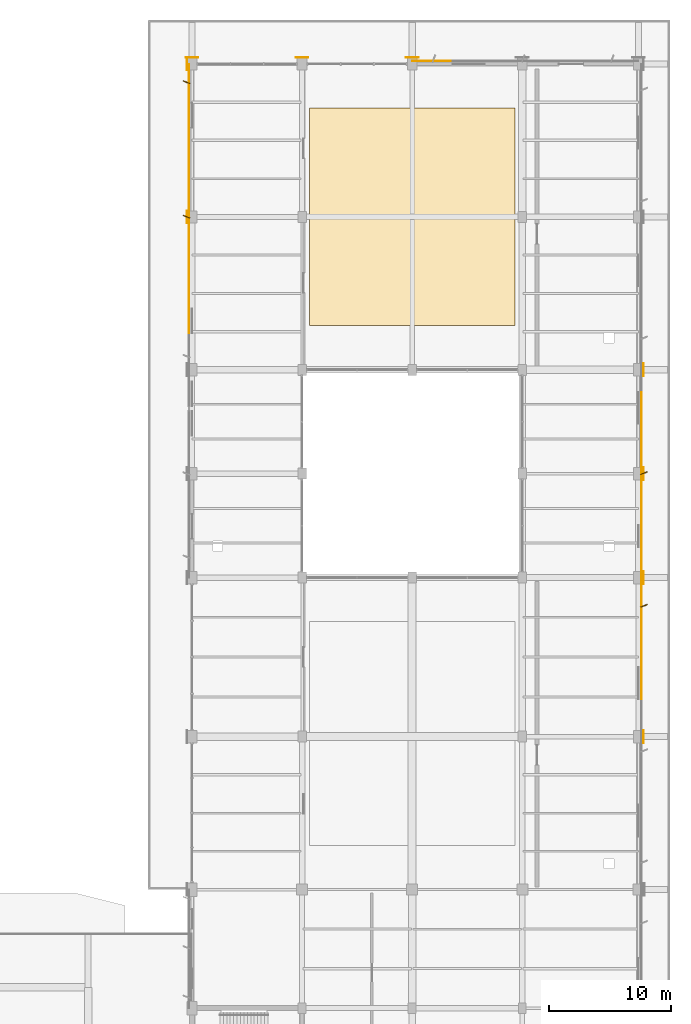
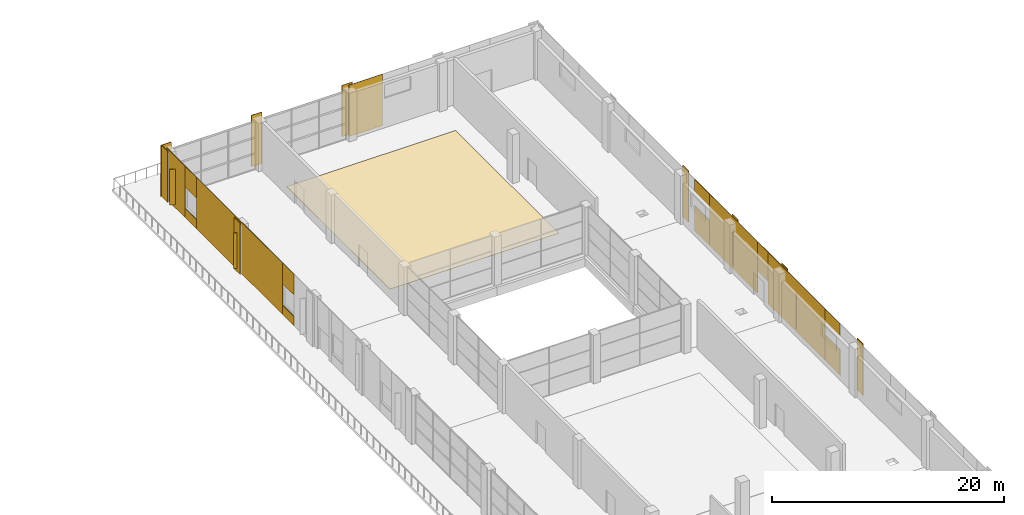
# One storey, part 88 of 90: 28 coverings.
"""IFC4 building model written with IfcOpenShell, lengths in metres."""

import ifcopenshell
import ifcopenshell.guid

model = None  # the IFC model being written
_history = None  # IfcOwnerHistory: only IFC2X3 demands one
_inside = {}  # id of a spatial element -> (the spatial element, [elements in it])
_under = {}  # id of a project, library or spatial element -> (it, [spatial elements below it])
_declared = {}  # id of a project -> (the project, [libraries it declares])
_typed = {}  # id of a type object -> (the type object, [elements of that type])
_made_of = {}  # id of a material, layer set ... -> (it, [elements and type objects made of it])


def new_model(schema):
    """Start an empty IFC model of exactly this schema.

    Asked for "IFC4X3", IfcOpenShell would pick the latest addendum, in which some entities
    have other attributes; the version numbers below select the first issue.
    IFC2X3 requires an IfcOwnerHistory on every rooted entity: one is made here for all.
    """
    global model, _history
    if schema == "IFC4X3":
        model = ifcopenshell.file(schema_version=(4, 3, 0, 0))
    else:
        model = ifcopenshell.file(schema=schema)
    _inside.clear()
    _under.clear()
    _declared.clear()
    _typed.clear()
    _made_of.clear()
    _history = None
    if model.schema == "IFC2X3":
        org = make("IfcOrganization", Name="unknown")
        user = make(
            "IfcPersonAndOrganization",
            ThePerson=make("IfcPerson", FamilyName="unknown"),
            TheOrganization=org,
        )
        app = make(
            "IfcApplication",
            ApplicationDeveloper=org,
            Version="unknown",
            ApplicationFullName="unknown",
            ApplicationIdentifier="unknown",
        )
        _history = make(
            "IfcOwnerHistory",
            OwningUser=user,
            OwningApplication=app,
            ChangeAction="ADDED",
            CreationDate=0,
        )
    return model


def make(cls, **values):
    """One entity of the class cls with the attributes given. An attribute that is None is left unset."""
    return model.create_entity(
        cls, **{name: value for name, value in values.items() if value is not None}
    )


def rooted(cls, **values):
    """An entity with a GlobalId (a new one), such as an element, a storey or a relation."""
    return make(cls, GlobalId=ifcopenshell.guid.new(), OwnerHistory=_history, **values)


def si_unit(unit_type, name, prefix=None):
    """IfcSIUnit, for example si_unit("LENGTHUNIT", "METRE", prefix="MILLI")."""
    return make("IfcSIUnit", UnitType=unit_type, Prefix=prefix, Name=name)


def assignment(units):
    """IfcUnitAssignment: the units of a project."""
    return None if units is None else make("IfcUnitAssignment", Units=units)


def point(xyz):
    """IfcCartesianPoint."""
    return None if xyz is None else make("IfcCartesianPoint", Coordinates=xyz)


def direction(xyz):
    """IfcDirection."""
    return None if xyz is None else make("IfcDirection", DirectionRatios=xyz)


def frame(location, z_axis=None, x_axis=None):
    """IfcAxis2Placement3D, a coordinate frame: its origin and axes. An axis left out is left unset."""
    return make(
        "IfcAxis2Placement3D",
        Location=point(location),
        Axis=direction(z_axis),
        RefDirection=direction(x_axis),
    )


def frame_2d(location, x_axis=None):
    """IfcAxis2Placement2D, a coordinate frame in the plane: its origin and x axis."""
    return make(
        "IfcAxis2Placement2D", Location=point(location), RefDirection=direction(x_axis)
    )


def origin():
    """The frame at (0, 0, 0) with its axes left unset."""
    return frame((0.0, 0.0, 0.0))


def origin_2d():
    """The frame at (0, 0) in the plane with its x axis left unset."""
    return frame_2d((0.0, 0.0))


def place(relative_to, where):
    """IfcLocalPlacement: puts the frame where relative to a parent placement (None: the world)."""
    return make(
        "IfcLocalPlacement", PlacementRelTo=relative_to, RelativePlacement=where
    )


def context(
    kind, dimensions, precision=None, world=None, true_north=None, identifier=None
):
    """IfcGeometricRepresentationContext, for example the 3D "Model" context."""
    return make(
        "IfcGeometricRepresentationContext",
        ContextIdentifier=identifier,
        ContextType=kind,
        CoordinateSpaceDimension=dimensions,
        Precision=precision,
        WorldCoordinateSystem=world,
        TrueNorth=true_north,
    )


def subcontext(parent, identifier, kind, view, scale=None):
    """IfcGeometricRepresentationSubContext, for example "Body" below "Model"."""
    return make(
        "IfcGeometricRepresentationSubContext",
        ContextIdentifier=identifier,
        ContextType=kind,
        ParentContext=parent,
        TargetScale=scale,
        TargetView=view,
    )


def project(units=None, contexts=None):
    """IfcProject with its units and contexts."""
    return rooted(
        "IfcProject",
        Name="project",
        RepresentationContexts=contexts,
        UnitsInContext=assignment(units),
    )


def spatial(cls, under=None, at=None, **own):
    """A site, building, storey or space (cls), placed at a placement, below another one or the project."""
    s = rooted(cls, ObjectPlacement=at, **own)
    if under is not None:
        _under.setdefault(under.id(), (under, []))[1].append(s)
    return s


def polyline(points):
    """IfcPolyline through the points."""
    return make("IfcPolyline", Points=[point(p) for p in points])


def profile(cls, at=None, kind="AREA", **sizes):
    """A parametric profile (cls). Its sizes go by their IFC names, for example OverallWidth=200.0."""
    return make(cls, ProfileType=kind, Position=at, **sizes)


def rectangle(**sizes):
    """IfcRectangleProfileDef."""
    return profile("IfcRectangleProfileDef", **sizes)


def outline(outer, holes=None, kind="AREA"):
    """IfcArbitraryClosedProfileDef: a profile drawn as a closed curve; with holes, ...WithVoids."""
    if holes is None:
        return make("IfcArbitraryClosedProfileDef", ProfileType=kind, OuterCurve=outer)
    return make(
        "IfcArbitraryProfileDefWithVoids",
        ProfileType=kind,
        OuterCurve=outer,
        InnerCurves=holes,
    )


def extrude(swept, where, along, depth):
    """IfcExtrudedAreaSolid: the profile swept, set in the frame where, extruded along a direction by depth."""
    return make(
        "IfcExtrudedAreaSolid",
        SweptArea=swept,
        Position=where,
        ExtrudedDirection=direction(along),
        Depth=depth,
    )


def shape(context_of_items, identifier, shape_type, items):
    """IfcShapeRepresentation: the items that make up one representation, for example the "Body"."""
    return make(
        "IfcShapeRepresentation",
        ContextOfItems=context_of_items,
        RepresentationIdentifier=identifier,
        RepresentationType=shape_type,
        Items=items,
    )


def material(Name=None, Category=None):
    """IfcMaterial."""
    return make("IfcMaterial", Name=Name, Category=Category)


def layer(
    of_material, thickness, ventilated=None, Name=None, Category=None, Priority=None
):
    """IfcMaterialLayer: one layer of a wall or slab, of a material (None: an air gap)."""
    return make(
        "IfcMaterialLayer",
        Material=of_material,
        LayerThickness=thickness,
        IsVentilated=ventilated,
        Name=Name,
        Category=Category,
        Priority=Priority,
    )


def layer_set(layers, Name=None):
    """IfcMaterialLayerSet."""
    return make("IfcMaterialLayerSet", MaterialLayers=layers, LayerSetName=Name)


def made_of(thing, what):
    """Note that an element or type object is made of a material, layer set ...; save() writes the relation."""
    if what is not None:
        _made_of.setdefault(what.id(), (what, []))[1].append(thing)
    return thing


def type_object(cls, material=None, **own):
    """A type object (cls), such as IfcWallType, which elements share."""
    return made_of(rooted(cls, **own), material)


def element(
    cls,
    number,
    at=None,
    inside=None,
    cuts=None,
    type_object=None,
    material=None,
    context=None,
    identifier="Body",
    shape_type=None,
    held_by="IfcProductDefinitionShape",
    body=None,
    shapes=None,
    **own,
):
    """One element of the class cls, such as IfcWall. Its Tag is "e" and its number.

    at: its placement. inside: the storey or other place that contains it. cuts: it is an
    opening in that element (IfcRelVoidsElement). A single representation is given by context,
    identifier, shape_type and body (its items); several are given by shapes. held_by: the class
    of the entity that holds the representations. save() writes the other relations.
    """
    e = rooted(cls, Tag="e%d" % number, ObjectPlacement=at, **own)
    if body is not None:
        shapes = [shape(context, identifier, shape_type, body)]
    if shapes is not None:
        e.Representation = make(held_by, Representations=shapes)
    if inside is not None:
        _inside.setdefault(inside.id(), (inside, []))[1].append(e)
    if cuts is not None:
        rooted(
            "IfcRelVoidsElement", RelatingBuildingElement=cuts, RelatedOpeningElement=e
        )
    if type_object is not None:
        _typed.setdefault(type_object.id(), (type_object, []))[1].append(e)
    return made_of(e, material)


def aggregate(whole, parts):
    """IfcRelAggregates: a whole, such as a stair, and the parts it consists of."""
    return rooted("IfcRelAggregates", RelatingObject=whole, RelatedObjects=parts)


def save(model, path):
    """Write the relations noted so far, then the file.

    IfcRelAggregates (storeys below a building ...), IfcRelContainedInSpatialStructure (elements
    in a storey), IfcRelDefinesByType, IfcRelAssociatesMaterial and IfcRelDeclares: one each for
    every whole, place, type object, material and project.
    """
    for whole, parts in _under.values():
        aggregate(whole, parts)
    for where, things in _inside.values():
        rooted(
            "IfcRelContainedInSpatialStructure",
            RelatedElements=things,
            RelatingStructure=where,
        )
    for kind, things in _typed.values():
        rooted("IfcRelDefinesByType", RelatedObjects=things, RelatingType=kind)
    for what, things in _made_of.values():
        rooted("IfcRelAssociatesMaterial", RelatedObjects=things, RelatingMaterial=what)
    for by, libraries in _declared.values():
        rooted("IfcRelDeclares", RelatingContext=by, RelatedDefinitions=libraries)
    model.write(path)


model = new_model("IFC4")

# Units and contexts
model_context = context("Model", 3, precision=1e-05, world=origin(), true_north=direction((0.0, 1.0)))
body_context = subcontext(model_context, "Body", "Model", "MODEL_VIEW")
ifc_project = project(units=[si_unit("LENGTHUNIT", "METRE"), si_unit("AREAUNIT", "SQUARE_METRE"), si_unit("VOLUMEUNIT", "CUBIC_METRE"), si_unit("PLANEANGLEUNIT", "RADIAN"), si_unit("MASSUNIT", "GRAM", prefix="KILO")], contexts=[model_context])

# Site, building, storey
site_placement = place(None, origin())
site = spatial("IfcSite", under=ifc_project, at=site_placement, CompositionType="ELEMENT")
building_placement = place(site_placement, origin())
building = spatial("IfcBuilding", under=site, at=building_placement, Name="Solvikara Media Centre", CompositionType="ELEMENT")
storey_placement = place(building_placement, origin())
storey = spatial("IfcBuildingStorey", under=building, at=storey_placement, Name="L00", CompositionType="ELEMENT", Elevation=0.0)

# Coverings
ifc_material_1 = material(Name="Polished terrazzo floor finish")
ifc_layer_1 = layer(ifc_material_1, 0.030029296875)
ifc_layer_set_1 = layer_set([ifc_layer_1], Name="Polished terrazzo floor finish")
covering_type_1 = type_object("IfcCoveringType", Name="CV-02", PredefinedType="FLOORING", material=ifc_layer_set_1)
covering_1_placement = place(storey_placement, origin())
element("IfcCovering", 1, at=covering_1_placement, inside=storey, type_object=covering_type_1, Name="FLR-015", PredefinedType="FLOORING", context=body_context, shape_type="SweptSolid", body=[
    extrude(outline(polyline([(137.10009765625, 92.60009765625), (153.89990234375, 92.60009765625), (153.89990234375, 110.39990234375), (137.10009765625, 110.39990234375), (137.10009765625, 92.60009765625)])), origin(), (0.0, 0.0, 1.0), 0.030029296875),
])
ifc_material_2 = material(Name="GFRC white mineral architectural rainscreen panel")
ifc_layer_2 = layer(ifc_material_2, 0.050048828125)
ifc_layer_set_2 = layer_set([ifc_layer_2], Name="GFRC white mineral architectural rainscreen panel")
covering_type_2 = type_object("IfcCoveringType", Name="CV-04", PredefinedType="CLADDING", material=ifc_layer_set_2)
for number, where, z_axis, x_axis, name in (
    (2, (127.074951171875, 101.5, 0.0), (0.0, 0.0, 1.0), (0.0, -1.0, 0.0), "PIL-L00-275"),
    (3, (127.5, 114.52490234375, 0.0), (0.0, 0.0, 1.0), (-1.0, 0.0, 0.0), "PIL-L00-277"),
    (4, (127.074951171875, 114.0, 0.0), (0.0, 0.0, 1.0), (0.0, -1.0, 0.0), "PIL-L00-278"),
    (5, (136.5, 114.52490234375, 0.0), (0.0, 0.0, 1.0), (-1.0, 0.0, 0.0), "PIL-L00-281"),
    (6, (145.5, 114.52490234375, 0.0), (0.0, 0.0, 1.0), (-1.0, 0.0, 0.0), "PIL-L00-283"),
    (7, (164.425048828125, 59.0, 0.0), (0.0, 0.0, 1.0), (0.0, 1.0, 0.0), "PIL-L00-287"),
    (8, (164.425048828125, 72.0, 0.0), (0.0, 0.0, 1.0), (0.0, 1.0, 0.0), "PIL-L00-289"),
    (9, (164.425048828125, 80.5, 0.0), (0.0, 0.0, 1.0), (0.0, 1.0, 0.0), "PIL-L00-291"),
    (10, (164.425048828125, 89.0, 0.0), (0.0, 0.0, 1.0), (0.0, 1.0, 0.0), "PIL-L00-293"),
):
    element("IfcCovering", number, at=place(storey_placement, frame(where, z_axis=z_axis, x_axis=x_axis)), inside=storey, type_object=covering_type_2, Name=name, PredefinedType="CLADDING", context=body_context, shape_type="SweptSolid", body=[
        extrude(rectangle(XDim=1.0400390625, YDim=0.050048828125, at=origin_2d()), origin(), (0.0, 0.0, 1.0), 5.39990234375),
    ])
covering_2_placement = place(storey_placement, frame((164.2451171875, 63.375, 0.0), z_axis=(0.0, 0.0, 1.0), x_axis=(0.0, 1.0, 0.0)))
element("IfcCovering", 11, at=covering_2_placement, inside=storey, type_object=covering_type_2, Name="L00-V2E-CV-S04", PredefinedType="CLADDING", context=body_context, shape_type="SweptSolid", body=[
    extrude(rectangle(XDim=2.60009765625, YDim=0.050048828125, at=origin_2d()), origin(), (0.0, 0.0, 1.0), 2.64990234375),
])
covering_3_placement = place(storey_placement, frame((164.2451171875, 63.375, 4.10986328125), z_axis=(0.0, 0.0, 1.0), x_axis=(0.0, 1.0, 0.0)))
element("IfcCovering", 12, at=covering_3_placement, inside=storey, type_object=covering_type_2, Name="L00-V2E-CV-H04", PredefinedType="CLADDING", context=body_context, shape_type="SweptSolid", body=[
    extrude(rectangle(XDim=2.60009765625, YDim=0.050048828125, at=origin_2d()), origin(), (0.0, 0.0, 1.0), 1.2900390625),
])
covering_4_placement = place(storey_placement, frame((164.2451171875, 69.587890625, 0.0), z_axis=(0.0, 0.0, 1.0), x_axis=(0.0, 1.0, 0.0)))
element("IfcCovering", 13, at=covering_4_placement, inside=storey, type_object=covering_type_2, Name="L00-V2E-CV-F05", PredefinedType="CLADDING", context=body_context, shape_type="SweptSolid", body=[
    extrude(rectangle(XDim=9.824951171875, YDim=0.050048828125, at=origin_2d()), origin(), (0.0, 0.0, 1.0), 5.39990234375),
])
covering_5_placement = place(storey_placement, frame((164.449951171875, 69.697998046875, 0.35009765625), z_axis=(0.0, 0.0, 1.0), x_axis=(0.930749810713, 0.3656566557, 0.0)))
element("IfcCovering", 14, at=covering_5_placement, inside=storey, type_object=covering_type_2, Name="L00-V2E-FIN-05", PredefinedType="CLADDING", context=body_context, shape_type="SweptSolid", body=[
    extrude(rectangle(XDim=0.60205078125, YDim=0.050048828125, at=origin_2d()), origin(), (0.0, 0.0, 1.0), 3.739990234375),
])
covering_6_placement = place(storey_placement, frame((164.2451171875, 75.39990234375, 2.35009765625), z_axis=(0.0, 0.0, 1.0), x_axis=(0.0, 1.0, 0.0)))
element("IfcCovering", 15, at=covering_6_placement, inside=storey, type_object=covering_type_2, Name="L00-V2E-CV-D06", PredefinedType="CLADDING", context=body_context, shape_type="SweptSolid", body=[
    extrude(rectangle(XDim=1.800048828125, YDim=0.050048828125, at=origin_2d()), origin(), (0.0, 0.0, 1.0), 3.050048828125),
])
covering_7_placement = place(storey_placement, frame((164.2451171875, 80.43798828125, 0.0), z_axis=(0.0, 0.0, 1.0), x_axis=(0.0, 1.0, 0.0)))
element("IfcCovering", 16, at=covering_7_placement, inside=storey, type_object=covering_type_2, Name="L00-V2E-CV-F07", PredefinedType="CLADDING", context=body_context, shape_type="SweptSolid", body=[
    extrude(rectangle(XDim=8.27490234375, YDim=0.050048828125, at=origin_2d()), origin(), (0.0, 0.0, 1.0), 5.39990234375),
])
covering_8_placement = place(storey_placement, frame((164.449951171875, 80.548095703125, 0.35009765625), z_axis=(0.0, 0.0, 1.0), x_axis=(0.930749810713, 0.3656566557, 0.0)))
element("IfcCovering", 17, at=covering_8_placement, inside=storey, type_object=covering_type_2, Name="L00-V2E-FIN-07", PredefinedType="CLADDING", context=body_context, shape_type="SweptSolid", body=[
    extrude(rectangle(XDim=0.60205078125, YDim=0.050048828125, at=origin_2d()), origin(), (0.0, 0.0, 1.0), 3.739990234375),
])
covering_9_placement = place(storey_placement, frame((164.2451171875, 85.875, 0.0), z_axis=(0.0, 0.0, 1.0), x_axis=(0.0, 1.0, 0.0)))
element("IfcCovering", 18, at=covering_9_placement, inside=storey, type_object=covering_type_2, Name="L00-V2E-CV-S08", PredefinedType="CLADDING", context=body_context, shape_type="SweptSolid", body=[
    extrude(rectangle(XDim=2.60009765625, YDim=0.050048828125, at=origin_2d()), origin(), (0.0, 0.0, 1.0), 2.64990234375),
])
covering_10_placement = place(storey_placement, frame((164.2451171875, 85.875, 4.10986328125), z_axis=(0.0, 0.0, 1.0), x_axis=(0.0, 1.0, 0.0)))
element("IfcCovering", 19, at=covering_10_placement, inside=storey, type_object=covering_type_2, Name="L00-V2E-CV-H08", PredefinedType="CLADDING", context=body_context, shape_type="SweptSolid", body=[
    extrude(rectangle(XDim=2.60009765625, YDim=0.050048828125, at=origin_2d()), origin(), (0.0, 0.0, 1.0), 1.2900390625),
])
covering_11_placement = place(storey_placement, frame((147.162109375, 114.2451171875, 0.0), z_axis=(0.0, 0.0, 1.0), x_axis=(1.0, 0.0, 0.0)))
element("IfcCovering", 20, at=covering_11_placement, inside=storey, type_object=covering_type_2, Name="L00-V2N-CV-F01", PredefinedType="CLADDING", context=body_context, shape_type="SweptSolid", body=[
    extrude(rectangle(XDim=3.324951171875, YDim=0.050048828125, at=origin_2d()), origin(), (0.0, 0.0, 1.0), 5.39990234375),
])
covering_12_placement = place(storey_placement, frame((127.2548828125, 93.0, 0.0), z_axis=(0.0, 0.0, 1.0), x_axis=(0.0, 1.0, 0.0)))
element("IfcCovering", 21, at=covering_12_placement, inside=storey, type_object=covering_type_2, Name="L00-V2W-CV-S08", PredefinedType="CLADDING", context=body_context, shape_type="SweptSolid", body=[
    extrude(rectangle(XDim=2.0, YDim=0.050048828125, at=origin_2d()), origin(), (0.0, 0.0, 1.0), 0.969970703125),
])
covering_13_placement = place(storey_placement, frame((127.2548828125, 93.0, 3.22998046875), z_axis=(0.0, 0.0, 1.0), x_axis=(0.0, 1.0, 0.0)))
element("IfcCovering", 22, at=covering_13_placement, inside=storey, type_object=covering_type_2, Name="L00-V2W-CV-H08", PredefinedType="CLADDING", context=body_context, shape_type="SweptSolid", body=[
    extrude(rectangle(XDim=2.0, YDim=0.050048828125, at=origin_2d()), origin(), (0.0, 0.0, 1.0), 2.169921875),
])
covering_14_placement = place(storey_placement, frame((127.2548828125, 101.39990234375, 0.0), z_axis=(0.0, 0.0, 1.0), x_axis=(0.0, 1.0, 0.0)))
element("IfcCovering", 23, at=covering_14_placement, inside=storey, type_object=covering_type_2, Name="L00-V2W-CV-F09", PredefinedType="CLADDING", context=body_context, shape_type="SweptSolid", body=[
    extrude(rectangle(XDim=14.800048828125, YDim=0.050048828125, at=origin_2d()), origin(), (0.0, 0.0, 1.0), 5.39990234375),
])
covering_15_placement = place(storey_placement, frame((127.050048828125, 101.510009765625, 0.35009765625), z_axis=(0.0, 0.0, 1.0), x_axis=(-0.930749810713, 0.3656566557, 0.0)))
element("IfcCovering", 24, at=covering_15_placement, inside=storey, type_object=covering_type_2, Name="L00-V2W-FIN-09", PredefinedType="CLADDING", context=body_context, shape_type="SweptSolid", body=[
    extrude(rectangle(XDim=0.60205078125, YDim=0.050048828125, at=origin_2d()), origin(), (0.0, 0.0, 1.0), 3.739990234375),
])
covering_16_placement = place(storey_placement, frame((127.2548828125, 109.800048828125, 0.0), z_axis=(0.0, 0.0, 1.0), x_axis=(0.0, 1.0, 0.0)))
element("IfcCovering", 25, at=covering_16_placement, inside=storey, type_object=covering_type_2, Name="L00-V2W-CV-S10", PredefinedType="CLADDING", context=body_context, shape_type="SweptSolid", body=[
    extrude(rectangle(XDim=2.0, YDim=0.050048828125, at=origin_2d()), origin(), (0.0, 0.0, 1.0), 0.969970703125),
])
covering_17_placement = place(storey_placement, frame((127.2548828125, 109.800048828125, 3.22998046875), z_axis=(0.0, 0.0, 1.0), x_axis=(0.0, 1.0, 0.0)))
element("IfcCovering", 26, at=covering_17_placement, inside=storey, type_object=covering_type_2, Name="L00-V2W-CV-H10", PredefinedType="CLADDING", context=body_context, shape_type="SweptSolid", body=[
    extrude(rectangle(XDim=2.0, YDim=0.050048828125, at=origin_2d()), origin(), (0.0, 0.0, 1.0), 2.169921875),
])
covering_18_placement = place(storey_placement, frame((127.2548828125, 112.39990234375, 0.0), z_axis=(0.0, 0.0, 1.0), x_axis=(0.0, 1.0, 0.0)))
element("IfcCovering", 27, at=covering_18_placement, inside=storey, type_object=covering_type_2, Name="L00-V2W-CV-F11", PredefinedType="CLADDING", context=body_context, shape_type="SweptSolid", body=[
    extrude(rectangle(XDim=3.199951171875, YDim=0.050048828125, at=origin_2d()), origin(), (0.0, 0.0, 1.0), 5.39990234375),
])
covering_19_placement = place(storey_placement, frame((127.050048828125, 112.510009765625, 0.35009765625), z_axis=(0.0, 0.0, 1.0), x_axis=(-0.930749810713, 0.3656566557, 0.0)))
element("IfcCovering", 28, at=covering_19_placement, inside=storey, type_object=covering_type_2, Name="L00-V2W-FIN-11", PredefinedType="CLADDING", context=body_context, shape_type="SweptSolid", body=[
    extrude(rectangle(XDim=0.60205078125, YDim=0.050048828125, at=origin_2d()), origin(), (0.0, 0.0, 1.0), 3.739990234375),
])

save(model, "model.ifc")
